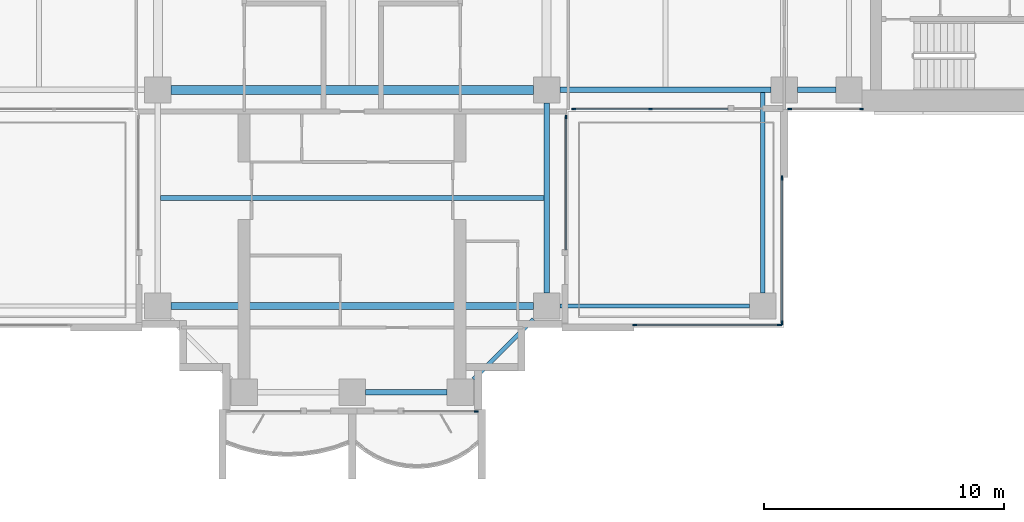
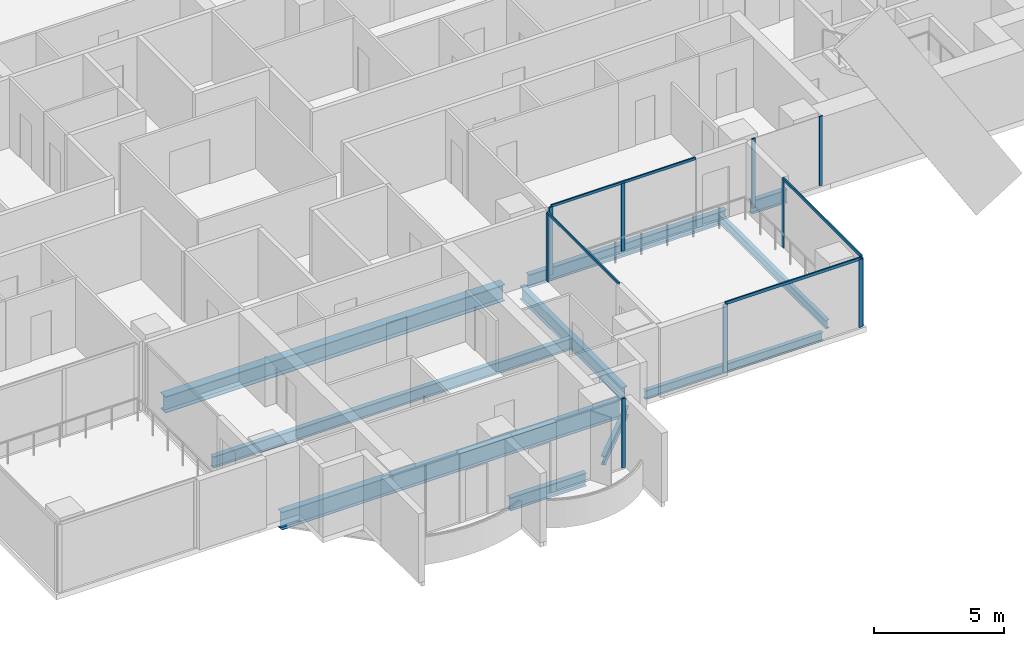
# One storey, part 3 of 19: 14 members, 10 beams, 6 elements without a shape of their own.
"""IFC4 building model written with IfcOpenShell, lengths in metres."""

from ifc_helpers import new_model, si_unit, direction, frame, origin, origin_2d, place, context, subcontext, project, spatial, rectangle, i_section, extrude, material, material_profile, profile_set, type_object, element, aggregate, save


model = new_model("IFC4")

# Units and contexts
model_context = context("Model", 3, precision=1e-05, world=origin(), true_north=direction((0.0, 1.0)))
body_context = subcontext(model_context, "Body", "Model", "MODEL_VIEW")
ifc_project = project(units=[si_unit("LENGTHUNIT", "METRE"), si_unit("AREAUNIT", "SQUARE_METRE"), si_unit("VOLUMEUNIT", "CUBIC_METRE"), si_unit("PLANEANGLEUNIT", "RADIAN"), si_unit("MASSUNIT", "GRAM", prefix="KILO")], contexts=[model_context])

# Site, building, storey
site_placement = place(None, origin())
site = spatial("IfcSite", under=ifc_project, at=site_placement, CompositionType="ELEMENT")
building_placement = place(site_placement, origin())
building = spatial("IfcBuilding", under=site, at=building_placement, Name="Perihelion Cross Residences", CompositionType="ELEMENT")
storey_placement = place(building_placement, frame((0.0, 0.0, 126.89990234375)))
storey = spatial("IfcBuildingStorey", under=building, at=storey_placement, Name="L30", CompositionType="ELEMENT", Elevation=126.89990234375)

# Curtain wall, member
ifc_material_1 = material(Name="Bronze anodised aluminium, tinted glazing", Category="aluminium")
curtain_wall_type_1 = type_object("IfcCurtainWallType", Name="CW1", PredefinedType="NOTDEFINED", material=ifc_material_1)
curtain_wall_1_placement = place(storey_placement, origin())
curtain_wall_1 = element("IfcCurtainWall", 1, at=curtain_wall_1_placement, inside=storey, type_object=curtain_wall_type_1, Name="Curtain wall CW1 L30 south tip south bay 2", PredefinedType="NOTDEFINED")
ifc_material_2 = material(Name="Bronze anodised aluminium", Category="aluminium")
ifc_material_profile_1 = material_profile(ifc_material_2, rectangle(XDim=0.06005859375, YDim=0.159912109375, at=origin_2d()), Name="CW1 mullion")
ifc_profile_set_1 = profile_set([ifc_material_profile_1], Name="Bronze anodised aluminium")
member_type_1 = type_object("IfcMemberType", Name="CW1 mullion", PredefinedType="MULLION", material=ifc_profile_set_1)
member_1_placement = place(storey_placement, frame((5.169921875, -21.5, 0.0), z_axis=(0.0, 0.0, 1.0), x_axis=(0.0, 1.0, 0.0)))
member_1 = element("IfcMember", 2, at=member_1_placement, type_object=member_type_1, Name="CW1 mullion 2", PredefinedType="MULLION", context=body_context, shape_type="SweptSolid", body=[
    extrude(rectangle(XDim=0.06005859375, YDim=0.159912109375, at=origin_2d()), origin(), (0.0, 0.0, 1.0), 3.25),
])
aggregate(curtain_wall_1, [member_1])

curtain_wall_2_placement = place(storey_placement, origin())
curtain_wall_2 = element("IfcCurtainWall", 3, at=curtain_wall_2_placement, inside=storey, type_object=curtain_wall_type_1, Name="Curtain wall CW1 L30 south side east bay 1", PredefinedType="NOTDEFINED")
member_2_placement = place(storey_placement, frame((8.89990234375, -9.22998046875, 0.0), z_axis=(0.0, 0.0, 1.0), x_axis=(-1.0, 0.0, 0.0)))
member_2 = element("IfcMember", 4, at=member_2_placement, type_object=member_type_1, Name="CW1 mullion 2", PredefinedType="MULLION", context=body_context, shape_type="SweptSolid", body=[
    extrude(rectangle(XDim=0.06005859375, YDim=0.159912109375, at=origin_2d()), origin(), (0.0, 0.0, 1.0), 3.190185546875),
])

# Curtain wall, members
curtain_wall_3_placement = place(storey_placement, origin())
curtain_wall_3 = element("IfcCurtainWall", 5, at=curtain_wall_3_placement, inside=storey, type_object=curtain_wall_type_1, Name="Curtain wall CW1 L30 east side south bay 1", PredefinedType="NOTDEFINED")
member_3_placement = place(storey_placement, frame((9.22998046875, -8.89990234375, 0.0), z_axis=(0.0, 0.0, 1.0), x_axis=(0.0, 1.0, 0.0)))
member_3 = element("IfcMember", 6, at=member_3_placement, type_object=member_type_1, Name="CW1 mullion 1", PredefinedType="MULLION", context=body_context, shape_type="SweptSolid", body=[
    extrude(rectangle(XDim=0.06005859375, YDim=0.159912109375, at=origin_2d()), origin(), (0.0, 0.0, 1.0), 3.190185546875),
])
member_4_placement = place(storey_placement, frame((12.425048828125, -8.89990234375, 0.0), z_axis=(0.0, 0.0, 1.0), x_axis=(0.0, 1.0, 0.0)))
member_4 = element("IfcMember", 7, at=member_4_placement, type_object=member_type_1, Name="CW1 mullion 2", PredefinedType="MULLION", context=body_context, shape_type="SweptSolid", body=[
    extrude(rectangle(XDim=0.06005859375, YDim=0.159912109375, at=origin_2d()), origin(), (0.0, 0.0, 1.0), 3.190185546875),
])

curtain_wall_4_placement = place(storey_placement, origin())
curtain_wall_4 = element("IfcCurtainWall", 8, at=curtain_wall_4_placement, inside=storey, type_object=curtain_wall_type_1, Name="Curtain wall CW1 L30 east side south bay 2", PredefinedType="NOTDEFINED")
member_5_placement = place(storey_placement, frame((18.22998046875, -8.89990234375, 0.0), z_axis=(0.0, 0.0, 1.0), x_axis=(0.0, 1.0, 0.0)))
member_5 = element("IfcMember", 9, at=member_5_placement, type_object=member_type_1, Name="CW1 mullion 1", PredefinedType="MULLION", context=body_context, shape_type="SweptSolid", body=[
    extrude(rectangle(XDim=0.06005859375, YDim=0.159912109375, at=origin_2d()), origin(), (0.0, 0.0, 1.0), 3.25),
])
member_6_placement = place(storey_placement, frame((21.219970703125, -8.89990234375, 0.0), z_axis=(0.0, 0.0, 1.0), x_axis=(0.0, 1.0, 0.0)))
member_6 = element("IfcMember", 10, at=member_6_placement, type_object=member_type_1, Name="CW1 mullion 2", PredefinedType="MULLION", context=body_context, shape_type="SweptSolid", body=[
    extrude(rectangle(XDim=0.06005859375, YDim=0.159912109375, at=origin_2d()), origin(), (0.0, 0.0, 1.0), 3.25),
])
aggregate(curtain_wall_4, [member_5, member_6])

# Member
ifc_material_3 = material(Name="Bronze anodised aluminium", Category="aluminium")
ifc_material_profile_2 = material_profile(ifc_material_3, rectangle(XDim=0.06005859375, YDim=0.1201171875, at=origin_2d()), Name="CW1 transom")
ifc_profile_set_2 = profile_set([ifc_material_profile_2], Name="Bronze anodised aluminium")
member_type_2 = type_object("IfcMemberType", Name="CW1 transom", PredefinedType="USERDEFINED", material=ifc_profile_set_2)
member_7_placement = place(storey_placement, frame((8.89990234375, -14.75, 3.22021484375), z_axis=(0.0, 1.0, 0.0), x_axis=(-1.0, 0.0, 0.0)))
member_7 = element("IfcMember", 11, at=member_7_placement, type_object=member_type_2, Name="CW1 head transom", ObjectType="TRANSOM", PredefinedType="USERDEFINED", context=body_context, shape_type="SweptSolid", body=[
    extrude(rectangle(XDim=0.06005859375, YDim=0.1201171875, at=origin_2d()), origin(), (0.0, 0.0, 1.0), 5.52001953125),
])

aggregate(curtain_wall_2, [member_2, member_7])

member_8_placement = place(storey_placement, frame((9.22998046875, -8.89990234375, 3.22021484375), z_axis=(1.0, 0.0, 0.0), x_axis=(0.0, 1.0, 0.0)))
member_8 = element("IfcMember", 12, at=member_8_placement, type_object=member_type_2, Name="CW1 head transom", ObjectType="TRANSOM", PredefinedType="USERDEFINED", context=body_context, shape_type="SweptSolid", body=[
    extrude(rectangle(XDim=0.06005859375, YDim=0.1201171875, at=origin_2d()), origin(), (0.0, 0.0, 1.0), 6.419921875),
])

aggregate(curtain_wall_3, [member_3, member_4, member_8])

# Curtain wall, members
ifc_material_4 = material(Name="Bronze anodised aluminium, tinted glazing", Category="aluminium")
curtain_wall_type_2 = type_object("IfcCurtainWallType", Name="CW4", PredefinedType="NOTDEFINED", material=ifc_material_4)
curtain_wall_5_placement = place(storey_placement, origin())
curtain_wall_5 = element("IfcCurtainWall", 13, at=curtain_wall_5_placement, inside=storey, type_object=curtain_wall_type_2, Name="Curtain wall CW4 L30 pocket south-east 1 1", PredefinedType="NOTDEFINED")
ifc_material_5 = material(Name="Bronze anodised aluminium", Category="aluminium")
ifc_material_profile_3 = material_profile(ifc_material_5, rectangle(XDim=0.06005859375, YDim=0.179931640625, at=origin_2d()), Name="CW4 mullion")
ifc_profile_set_3 = profile_set([ifc_material_profile_3], Name="Bronze anodised aluminium")
member_type_3 = type_object("IfcMemberType", Name="CW4 mullion", PredefinedType="MULLION", material=ifc_profile_set_3)
member_9_placement = place(storey_placement, frame((17.89990234375, -11.77001953125, 0.0), z_axis=(0.0, 0.0, 1.0), x_axis=(1.0, 0.0, 0.0)))
member_9 = element("IfcMember", 14, at=member_9_placement, type_object=member_type_3, Name="CW4 mullion 1", PredefinedType="MULLION", context=body_context, shape_type="SweptSolid", body=[
    extrude(rectangle(XDim=0.06005859375, YDim=0.179931640625, at=origin_2d()), origin(), (0.0, 0.0, 1.0), 3.190185546875),
])
member_10_placement = place(storey_placement, frame((17.89990234375, -17.800048828125, 0.0), z_axis=(0.0, 0.0, 1.0), x_axis=(1.0, 0.0, 0.0)))
member_10 = element("IfcMember", 15, at=member_10_placement, type_object=member_type_3, Name="CW4 mullion 2", PredefinedType="MULLION", context=body_context, shape_type="SweptSolid", body=[
    extrude(rectangle(XDim=0.06005859375, YDim=0.179931640625, at=origin_2d()), origin(), (0.0, 0.0, 1.0), 3.190185546875),
])

curtain_wall_6_placement = place(storey_placement, origin())
curtain_wall_6 = element("IfcCurtainWall", 16, at=curtain_wall_6_placement, inside=storey, type_object=curtain_wall_type_2, Name="Curtain wall CW4 L30 pocket south-east 1 2", PredefinedType="NOTDEFINED")
member_11_placement = place(storey_placement, frame((17.800048828125, -17.89990234375, 0.0), z_axis=(0.0, 0.0, 1.0), x_axis=(0.0, -1.0, 0.0)))
member_11 = element("IfcMember", 17, at=member_11_placement, type_object=member_type_3, Name="CW4 mullion 1", PredefinedType="MULLION", context=body_context, shape_type="SweptSolid", body=[
    extrude(rectangle(XDim=0.06005859375, YDim=0.179931640625, at=origin_2d()), origin(), (0.0, 0.0, 1.0), 3.190185546875),
])
member_12_placement = place(storey_placement, frame((11.77001953125, -17.89990234375, 0.0), z_axis=(0.0, 0.0, 1.0), x_axis=(0.0, -1.0, 0.0)))
member_12 = element("IfcMember", 18, at=member_12_placement, type_object=member_type_3, Name="CW4 mullion 2", PredefinedType="MULLION", context=body_context, shape_type="SweptSolid", body=[
    extrude(rectangle(XDim=0.06005859375, YDim=0.179931640625, at=origin_2d()), origin(), (0.0, 0.0, 1.0), 3.190185546875),
])

# Member
ifc_material_6 = material(Name="Bronze anodised aluminium", Category="aluminium")
ifc_material_profile_4 = material_profile(ifc_material_6, rectangle(XDim=0.06005859375, YDim=0.139892578125, at=origin_2d()), Name="CW4 transom")
ifc_profile_set_4 = profile_set([ifc_material_profile_4], Name="Bronze anodised aluminium")
member_type_4 = type_object("IfcMemberType", Name="CW4 transom", PredefinedType="USERDEFINED", material=ifc_profile_set_4)
member_13_placement = place(storey_placement, frame((17.89990234375, -11.77001953125, 3.22021484375), z_axis=(0.0, -1.0, 0.0), x_axis=(1.0, 0.0, 0.0)))
member_13 = element("IfcMember", 19, at=member_13_placement, type_object=member_type_4, Name="CW4 head transom", ObjectType="TRANSOM", PredefinedType="USERDEFINED", context=body_context, shape_type="SweptSolid", body=[
    extrude(rectangle(XDim=0.06005859375, YDim=0.139892578125, at=origin_2d()), origin(), (0.0, 0.0, 1.0), 6.030029296875),
])

aggregate(curtain_wall_5, [member_9, member_10, member_13])

member_14_placement = place(storey_placement, frame((17.800048828125, -17.89990234375, 3.22021484375), z_axis=(-1.0, 0.0, 0.0), x_axis=(0.0, -1.0, 0.0)))
member_14 = element("IfcMember", 20, at=member_14_placement, type_object=member_type_4, Name="CW4 head transom", ObjectType="TRANSOM", PredefinedType="USERDEFINED", context=body_context, shape_type="SweptSolid", body=[
    extrude(rectangle(XDim=0.06005859375, YDim=0.139892578125, at=origin_2d()), origin(), (0.0, 0.0, 1.0), 6.030029296875),
])

aggregate(curtain_wall_6, [member_11, member_12, member_14])

# Beams
ifc_material_7 = material(Name="Steel S355", Category="steel")
ifc_material_profile_5 = material_profile(ifc_material_7, i_section(OverallWidth=0.177978515625, OverallDepth=0.406005859375, WebThickness=0.0078125, FlangeThickness=0.0126953125, at=origin_2d()), Name="W410x60")
ifc_profile_set_5 = profile_set([ifc_material_profile_5], Name="Steel S355")
beam_type_1 = type_object("IfcBeamType", Name="Core edge beam W410x60", PredefinedType="BEAM", material=ifc_profile_set_5)
beam_1_placement = place(storey_placement, frame((17.10009765625, -8.214599609375, -0.452880859375), z_axis=(0.0, -1.0, 0.0), x_axis=(1.0, 0.0, 0.0)))
element("IfcBeam", 21, at=beam_1_placement, inside=storey, type_object=beam_type_1, Name="Core edge beam TB2 L30 corner no. 5", PredefinedType="BEAM", context=body_context, shape_type="SweptSolid", body=[
    extrude(i_section(OverallWidth=0.177978515625, OverallDepth=0.406005859375, WebThickness=0.0078125, FlangeThickness=0.0126953125, at=origin_2d()), origin(), (0.0, 0.0, 1.0), 8.33544921875),
])
beam_2_placement = place(storey_placement, frame((8.64990234375, -17.10009765625, -0.452880859375), z_axis=(1.0, 0.0, 0.0), x_axis=(0.0, 1.0, 0.0)))
element("IfcBeam", 22, at=beam_2_placement, inside=storey, type_object=beam_type_1, Name="Core edge beam TB2 L30 corner no. 6", PredefinedType="BEAM", context=body_context, shape_type="SweptSolid", body=[
    extrude(i_section(OverallWidth=0.177978515625, OverallDepth=0.406005859375, WebThickness=0.0078125, FlangeThickness=0.0126953125, at=origin_2d()), origin(), (0.0, 0.0, 1.0), 7.900146484375),
])
ifc_material_8 = material(Name="Steel S355", Category="steel")
ifc_material_profile_6 = material_profile(ifc_material_8, i_section(OverallWidth=0.22900390625, OverallDepth=0.612060546875, WebThickness=0.011962890625, FlangeThickness=0.01953125, at=origin_2d()), Name="W610x125")
ifc_profile_set_6 = profile_set([ifc_material_profile_6], Name="Steel S355")
beam_type_2 = type_object("IfcBeamType", Name="Edge beam W610x125", PredefinedType="SPANDREL", material=ifc_profile_set_6)
beam_3_placement = place(storey_placement, frame((0.550048828125, -20.699951171875, -0.555908203125), z_axis=(1.0, 0.0, 0.0), x_axis=(0.0, 1.0, 0.0)))
element("IfcBeam", 23, at=beam_3_placement, inside=storey, type_object=beam_type_2, Name="Edge beam SB3 L30 no. 9", PredefinedType="SPANDREL", context=body_context, shape_type="SweptSolid", body=[
    extrude(i_section(OverallWidth=0.22900390625, OverallDepth=0.612060546875, WebThickness=0.011962890625, FlangeThickness=0.01953125, at=origin_2d()), origin(), (0.0, 0.0, 1.0), 3.39990234375),
])
beam_4_placement = place(storey_placement, frame((8.10009765625, -16.550048828125, -0.555908203125), z_axis=(0.0, 1.0, 0.0), x_axis=(-1.0, 0.0, 0.0)))
element("IfcBeam", 24, at=beam_4_placement, inside=storey, type_object=beam_type_2, Name="Edge beam SB3 L30 no. 15", PredefinedType="SPANDREL", context=body_context, shape_type="SweptSolid", body=[
    extrude(i_section(OverallWidth=0.22900390625, OverallDepth=0.612060546875, WebThickness=0.011962890625, FlangeThickness=0.01953125, at=origin_2d()), origin(), (0.0, 0.0, 1.0), 7.900146484375),
])
beam_5_placement = place(storey_placement, frame((8.64990234375, -8.10009765625, -0.555908203125), z_axis=(1.0, 0.0, 0.0), x_axis=(0.0, 1.0, 0.0)))
element("IfcBeam", 25, at=beam_5_placement, inside=storey, type_object=beam_type_2, Name="Edge beam SB3 L30 no. 16", PredefinedType="SPANDREL", context=body_context, shape_type="SweptSolid", body=[
    extrude(i_section(OverallWidth=0.22900390625, OverallDepth=0.612060546875, WebThickness=0.011962890625, FlangeThickness=0.01953125, at=origin_2d()), origin(), (0.0, 0.0, 1.0), 8.800048828125),
])
beam_6_placement = place(storey_placement, frame((18.550048828125, -8.10009765625, -0.555908203125), z_axis=(1.0, 0.0, 0.0), x_axis=(0.0, 1.0, 0.0)))
element("IfcBeam", 26, at=beam_6_placement, inside=storey, type_object=beam_type_2, Name="Edge beam SB3 L30 no. 11", PredefinedType="SPANDREL", context=body_context, shape_type="SweptSolid", body=[
    extrude(i_section(OverallWidth=0.22900390625, OverallDepth=0.612060546875, WebThickness=0.011962890625, FlangeThickness=0.01953125, at=origin_2d()), origin(), (0.0, 0.0, 1.0), 1.599853515625),
])
ifc_material_9 = material(Name="Steel S355", Category="steel")
ifc_material_profile_7 = material_profile(ifc_material_9, i_section(OverallWidth=0.2919921875, OverallDepth=0.8359375, WebThickness=0.013916015625, FlangeThickness=0.018798828125, at=origin_2d()), Name="W840x176")
ifc_profile_set_7 = profile_set([ifc_material_profile_7], Name="Steel S355")
beam_type_3 = type_object("IfcBeamType", Name="Floor girder W840x176", PredefinedType="BEAM", material=ifc_profile_set_7)
beam_7_placement = place(storey_placement, frame((-7.550048828125, -17.10009765625, -0.66796875), z_axis=(1.0, 0.0, 0.0), x_axis=(0.0, 1.0, 0.0)))
element("IfcBeam", 27, at=beam_7_placement, inside=storey, type_object=beam_type_3, Name="Girder G3 L30 no. 3", PredefinedType="BEAM", context=body_context, shape_type="SweptSolid", body=[
    extrude(i_section(OverallWidth=0.2919921875, OverallDepth=0.8359375, WebThickness=0.013916015625, FlangeThickness=0.018798828125, at=origin_2d()), origin(), (0.0, 0.0, 1.0), 15.10009765625),
])
ifc_material_10 = material(Name="Steel S355", Category="steel")
ifc_material_profile_8 = material_profile(ifc_material_10, i_section(OverallWidth=0.208984375, OverallDepth=0.532958984375, WebThickness=0.01025390625, FlangeThickness=0.015625, at=origin_2d()), Name="W530x92")
ifc_profile_set_8 = profile_set([ifc_material_profile_8], Name="Steel S355")
beam_type_4 = type_object("IfcBeamType", Name="Floor joist W530x92", PredefinedType="JOIST", material=ifc_profile_set_8)
beam_8_placement = place(storey_placement, frame((-7.985595703125, -12.60009765625, -0.516357421875), z_axis=(1.0, 0.0, 0.0), x_axis=(0.0, 1.0, 0.0)))
element("IfcBeam", 28, at=beam_8_placement, inside=storey, type_object=beam_type_4, Name="Joist J4 L30 no. 3", PredefinedType="JOIST", context=body_context, shape_type="SweptSolid", body=[
    extrude(i_section(OverallWidth=0.208984375, OverallDepth=0.532958984375, WebThickness=0.01025390625, FlangeThickness=0.015625, at=origin_2d()), origin(), (0.0, 0.0, 1.0), 15.97119140625),
])
ifc_material_11 = material(Name="Steel S355", Category="steel")
ifc_material_profile_9 = material_profile(ifc_material_11, i_section(OverallWidth=0.381103515625, OverallDepth=0.77197265625, WebThickness=0.0166015625, FlangeThickness=0.027099609375, at=origin_2d()), Name="W760x257")
ifc_profile_set_9 = profile_set([ifc_material_profile_9], Name="Steel S355")
beam_type_5 = type_object("IfcBeamType", Name="Hub ring girder W760x257", PredefinedType="BEAM", material=ifc_profile_set_9)
beam_9_placement = place(storey_placement, frame((-7.550048828125, -8.10009765625, -0.635986328125), z_axis=(1.0, 0.0, 0.0), x_axis=(0.0, 1.0, 0.0)))
element("IfcBeam", 29, at=beam_9_placement, inside=storey, type_object=beam_type_5, Name="Hub ring girder RG3 L30 no. 1", PredefinedType="BEAM", context=body_context, shape_type="SweptSolid", body=[
    extrude(i_section(OverallWidth=0.381103515625, OverallDepth=0.77197265625, WebThickness=0.0166015625, FlangeThickness=0.027099609375, at=origin_2d()), origin(), (0.0, 0.0, 1.0), 15.10009765625),
])
ifc_material_12 = material(Name="Steel S355", Category="steel")
ifc_material_profile_10 = material_profile(ifc_material_12, i_section(OverallWidth=0.180908203125, OverallDepth=0.4169921875, WebThickness=0.010986328125, FlangeThickness=0.018310546875, at=origin_2d()), Name="W410x85")
ifc_profile_set_10 = profile_set([ifc_material_profile_10], Name="Steel S355")
beam_type_6 = type_object("IfcBeamType", Name="Serration edge beam W410x85", PredefinedType="BEAM", material=ifc_profile_set_10)
beam_10_placement = place(storey_placement, frame((5.050048828125, -20.14990234375, -0.45849609375), z_axis=(0.707106781187, 0.707106781187, 0.0), x_axis=(-0.707106781187, 0.707106781187, 0.0)))
element("IfcBeam", 30, at=beam_10_placement, inside=storey, type_object=beam_type_6, Name="Serration edge beam EB3 L30 no. 3", PredefinedType="BEAM", context=body_context, shape_type="SweptSolid", body=[
    extrude(i_section(OverallWidth=0.180908203125, OverallDepth=0.4169921875, WebThickness=0.010986328125, FlangeThickness=0.018310546875, at=origin_2d()), origin(), (0.0, 0.0, 1.0), 3.53564453125),
])

save(model, "model.ifc")
